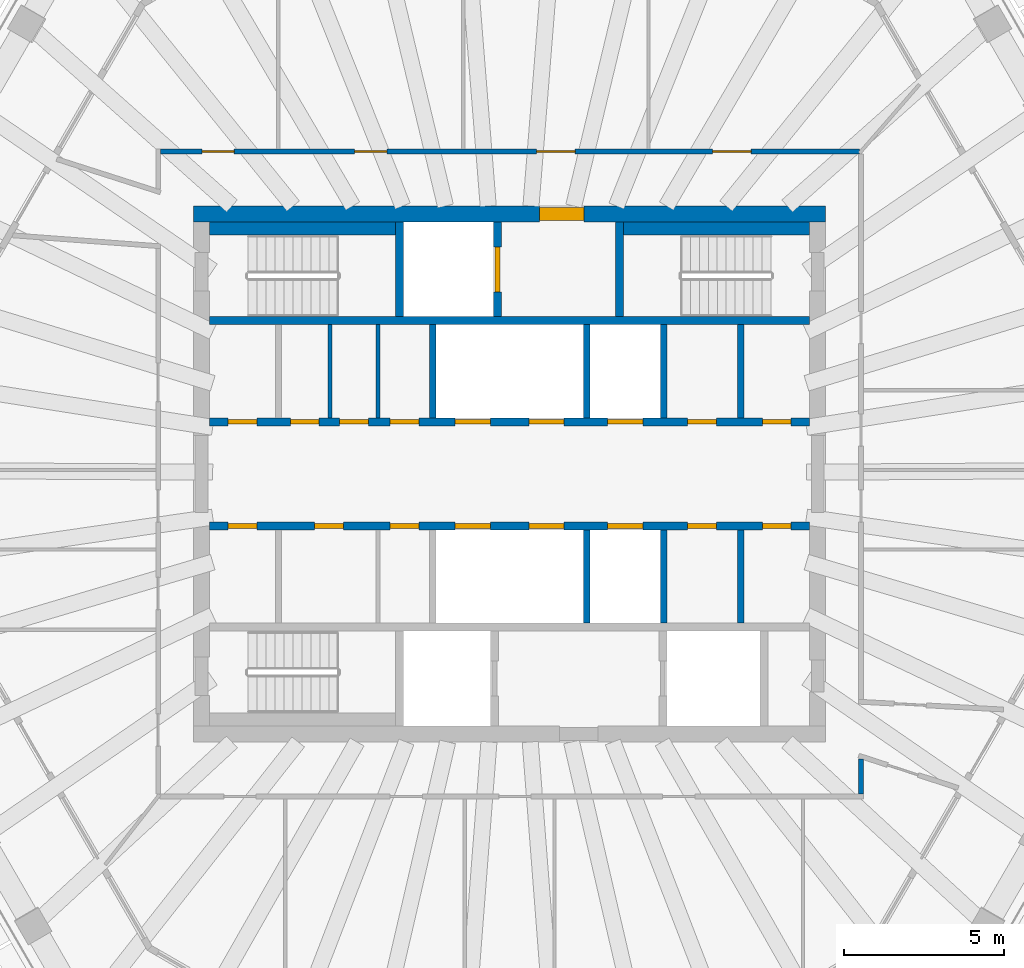
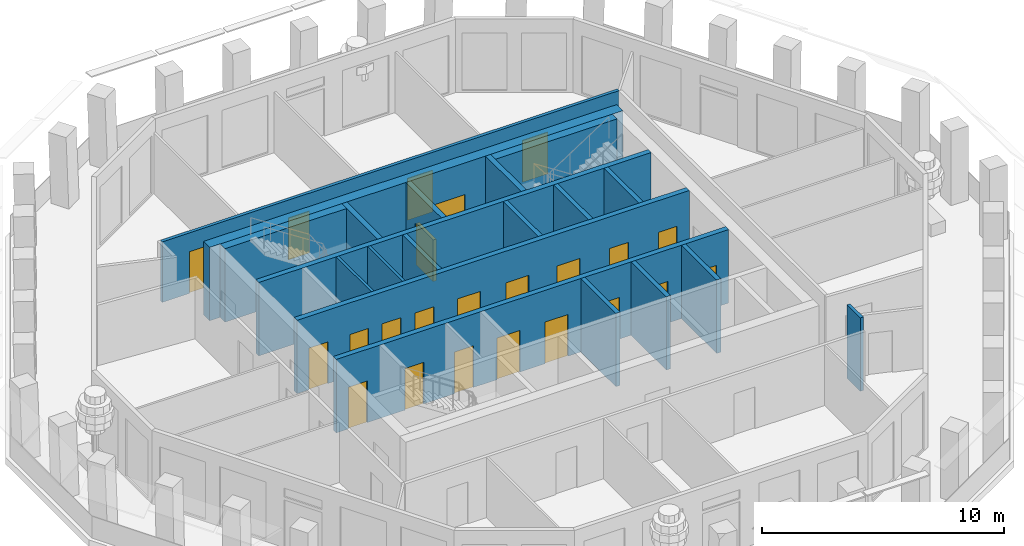
# One storey, part 5 of 11: 23 doors, 20 walls, 23 openings.
"""IFC4 building model written with IfcOpenShell, lengths in metres."""

from ifc_helpers import new_model, si_unit, direction, frame, frame_2d, origin, place, context, subcontext, project, spatial, rectangle, extrude, material, layer, layer_set, type_object, element, fill, save


model = new_model("IFC4")

# Units and contexts
model_context = context("Model", 3, precision=1e-05, world=origin(), true_north=direction((0.0, 1.0)))
body_context = subcontext(model_context, "Body", "Model", "MODEL_VIEW")
ifc_project = project(units=[si_unit("LENGTHUNIT", "METRE"), si_unit("AREAUNIT", "SQUARE_METRE"), si_unit("VOLUMEUNIT", "CUBIC_METRE"), si_unit("PLANEANGLEUNIT", "RADIAN"), si_unit("MASSUNIT", "GRAM", prefix="KILO")], contexts=[model_context])

# Site, building, storey
site_placement = place(None, origin())
site = spatial("IfcSite", under=ifc_project, at=site_placement, CompositionType="ELEMENT")
building_placement = place(site_placement, origin())
building = spatial("IfcBuilding", under=site, at=building_placement, Name="Frailejon Research Tower", CompositionType="ELEMENT")
storey_placement = place(building_placement, frame((0.0, 0.0, 312.60009765625)))
storey = spatial("IfcBuildingStorey", under=building, at=storey_placement, Name="L69", CompositionType="ELEMENT", Elevation=312.60009765625)

# Walls
ifc_material_1 = material(Name="Plasterboard on steel studs", Category="steel")
ifc_layer_1 = layer(ifc_material_1, 0.125)
ifc_layer_set_1 = layer_set([ifc_layer_1], Name="Core partition 125")
wall_type_1 = type_object("IfcWallType", Name="Core partition 125", PredefinedType="PARTITIONING", material=ifc_layer_set_1)
for number, where, z_axis, x_axis, name in (
    (1, (-5.60009765625, 1.75, 0.0), (0.0, 0.0, 1.0), (0.0, 1.0, 0.0), "Core partition"),
    (2, (-4.10009765625, 1.75, 0.0), (0.0, 0.0, 1.0), (0.0, 1.0, 0.0), "Core partition"),
):
    element("IfcWall", number, at=place(storey_placement, frame(where, z_axis=z_axis, x_axis=x_axis)), inside=storey, type_object=wall_type_1, Name=name, PredefinedType="PARTITIONING", context=body_context, shape_type="SweptSolid", body=[
        extrude(rectangle(XDim=2.89990234375, YDim=0.125, at=frame_2d((1.449951171875, 0.0))), origin(), (0.0, 0.0, 1.0), 3.699951171875),
    ])

# Wall, opening, door
ifc_material_2 = material(Name="Concrete C50/60", Category="concrete")
ifc_layer_2 = layer(ifc_material_2, 0.5)
ifc_layer_set_2 = layer_set([ifc_layer_2], Name="Core shear wall 500 C50/60")
wall_type_2 = type_object("IfcWallType", Name="Core shear wall 500 C50/60", PredefinedType="SHEAR", material=ifc_layer_set_2)
wall_1_placement = place(storey_placement, frame((-9.85009765625, 8.10009765625, 0.0), z_axis=(0.0, 0.0, 1.0), x_axis=(1.0, 0.0, 0.0)))
wall_1 = element("IfcWall", 3, at=wall_1_placement, inside=storey, type_object=wall_type_2, Name="Core shear wall", PredefinedType="SHEAR", context=body_context, shape_type="SweptSolid", body=[
    extrude(rectangle(XDim=19.7001953125, YDim=0.5, at=frame_2d((9.85009765625, 0.0))), origin(), (0.0, 0.0, 1.0), 3.699951171875),
])
opening_1_placement = place(wall_1_placement, frame((10.77490234375, 0.0, 0.0)))
opening_1 = element("IfcOpeningElement", 4, at=opening_1_placement, cuts=wall_1, Name="Opening D9", PredefinedType="OPENING", context=body_context, shape_type="SweptSolid", body=[
    extrude(rectangle(XDim=1.39990234375, YDim=2.10009765625, at=frame_2d((0.699951171875, 1.050048828125))), frame((0.0, 0.260009765625, 0.0), z_axis=(0.0, -1.0, 0.0), x_axis=(1.0, 0.0, 0.0)), (0.0, 0.0, 1.0), 0.52001953125),
])
ifc_material_3 = material(Name="Steel", Category="steel")
door_type_1 = type_object("IfcDoorType", Name="Goods lobby door", OperationType="DOUBLE_DOOR_SINGLE_SWING", PredefinedType="DOOR", material=ifc_material_3)
door_1_placement = place(opening_1_placement, origin())
door_1 = element("IfcDoor", 5, at=door_1_placement, inside=storey, type_object=door_type_1, Name="Goods lobby door", OperationType="DOUBLE_DOOR_SINGLE_SWING", OverallHeight=2.10009765625, OverallWidth=1.39990234375, PredefinedType="DOOR", context=body_context, shape_type="SweptSolid", body=[
    extrude(rectangle(XDim=1.39990234375, YDim=2.10009765625, at=frame_2d((0.699951171875, 1.050048828125))), frame((0.0, 0.199951171875, 0.0), z_axis=(0.0, -1.0, 0.0), x_axis=(1.0, 0.0, 0.0)), (0.0, 0.0, 1.0), 0.39990234375),
])
fill(opening_1, door_1)

# Wall
ifc_material_4 = material(Name="Gypsum board and masonry partition", Category="masonry")
ifc_layer_3 = layer(ifc_material_4, 0.14990234375)
ifc_layer_set_3 = layer_set([ifc_layer_3], Name="Corridor wall EI 60, gypsum on steel studs 150")
wall_type_3 = type_object("IfcWallType", Name="Corridor wall EI 60, gypsum on steel studs 150", PredefinedType="PARTITIONING", material=ifc_layer_set_3)
wall_2_placement = place(storey_placement, frame((10.949951171875, -9.97509765625, 0.0), z_axis=(0.0, 0.0, 1.0), x_axis=(0.0, 1.0, 0.0)))
element("IfcWall", 6, at=wall_2_placement, inside=storey, type_object=wall_type_3, Name="T:IW:L69:001", PredefinedType="PARTITIONING", context=body_context, shape_type="SweptSolid", body=[
    extrude(rectangle(XDim=1.10009765625, YDim=0.14990234375, at=frame_2d((0.550048828125, 0.0))), origin(), (0.0, 0.0, 1.0), 3.699951171875),
])

# Wall, openings, doors
wall_3_placement = place(storey_placement, frame((-10.875, 10.050048828125, 0.0), z_axis=(0.0, 0.0, 1.0), x_axis=(1.0, 0.0, 0.0)))
wall_3 = element("IfcWall", 7, at=wall_3_placement, inside=storey, type_object=wall_type_3, Name="T:IW:L69:003", PredefinedType="PARTITIONING", context=body_context, shape_type="SweptSolid", body=[
    extrude(rectangle(XDim=21.77490234375, YDim=0.14990234375, at=frame_2d((10.887451171875, 0.0))), origin(), (0.0, 0.0, 1.0), 3.0498046875),
])
opening_2_placement = place(wall_3_placement, frame((17.2041015625, 0.0, 0.0)))
opening_2 = element("IfcOpeningElement", 8, at=opening_2_placement, cuts=wall_3, Name="Opening D2300", PredefinedType="OPENING", context=body_context, shape_type="SweptSolid", body=[
    extrude(rectangle(XDim=1.199951171875, YDim=2.10009765625, at=frame_2d((0.60009765625, 1.050048828125))), frame((0.0, 0.0849609375, 0.0), z_axis=(0.0, -1.0, 0.0), x_axis=(1.0, 0.0, 0.0)), (0.0, 0.0, 1.0), 0.169921875),
])
opening_3_placement = place(wall_3_placement, frame((11.716796875, 0.0, 0.0)))
opening_3 = element("IfcOpeningElement", 9, at=opening_3_placement, cuts=wall_3, Name="Opening D2301", PredefinedType="OPENING", context=body_context, shape_type="SweptSolid", body=[
    extrude(rectangle(XDim=1.199951171875, YDim=2.10009765625, at=frame_2d((0.60009765625, 1.050048828125))), frame((0.0, 0.0849609375, 0.0), z_axis=(0.0, -1.0, 0.0), x_axis=(1.0, 0.0, 0.0)), (0.0, 0.0, 1.0), 0.169921875),
])
opening_4_placement = place(wall_3_placement, frame((6.0498046875, 0.0, 0.0)))
opening_4 = element("IfcOpeningElement", 10, at=opening_4_placement, cuts=wall_3, Name="Opening D2302", PredefinedType="OPENING", context=body_context, shape_type="SweptSolid", body=[
    extrude(rectangle(XDim=1.0, YDim=2.10009765625, at=frame_2d((0.5, 1.050048828125))), frame((0.0, 0.0849609375, 0.0), z_axis=(0.0, -1.0, 0.0), x_axis=(1.0, 0.0, 0.0)), (0.0, 0.0, 1.0), 0.169921875),
])
opening_5_placement = place(wall_3_placement, frame((1.29541015625, 0.0, 0.0)))
opening_5 = element("IfcOpeningElement", 11, at=opening_5_placement, cuts=wall_3, Name="Opening D2303", PredefinedType="OPENING", context=body_context, shape_type="SweptSolid", body=[
    extrude(rectangle(XDim=1.0, YDim=2.10009765625, at=frame_2d((0.5, 1.050048828125))), frame((0.0, 0.0849609375, 0.0), z_axis=(0.0, -1.0, 0.0), x_axis=(1.0, 0.0, 0.0)), (0.0, 0.0, 1.0), 0.169921875),
])
ifc_material_5 = material(Name="Timber door leaf", Category="wood")
door_type_2 = type_object("IfcDoorType", Name="Door single leaf, timber, steel frame 1000", OperationType="NOTDEFINED", PredefinedType="DOOR", material=ifc_material_5)
door_2_placement = place(opening_4_placement, origin())
door_2 = element("IfcDoor", 12, at=door_2_placement, inside=storey, type_object=door_type_2, Name="D2302", OperationType="SINGLE_SWING_LEFT", OverallHeight=2.10009765625, OverallWidth=1.0, PredefinedType="DOOR", context=body_context, shape_type="SweptSolid", body=[
    extrude(rectangle(XDim=1.0, YDim=2.10009765625, at=frame_2d((0.5, 1.050048828125))), frame((0.0, 0.02490234375, 0.0), z_axis=(0.0, -1.0, 0.0), x_axis=(1.0, 0.0, 0.0)), (0.0, 0.0, 1.0), 0.050048828125),
])
fill(opening_4, door_2)
door_3_placement = place(opening_5_placement, origin())
door_3 = element("IfcDoor", 13, at=door_3_placement, inside=storey, type_object=door_type_2, Name="D2303", OperationType="SINGLE_SWING_LEFT", OverallHeight=2.10009765625, OverallWidth=1.0, PredefinedType="DOOR", context=body_context, shape_type="SweptSolid", body=[
    extrude(rectangle(XDim=1.0, YDim=2.10009765625, at=frame_2d((0.5, 1.050048828125))), frame((0.0, 0.02490234375, 0.0), z_axis=(0.0, -1.0, 0.0), x_axis=(1.0, 0.0, 0.0)), (0.0, 0.0, 1.0), 0.050048828125),
])
fill(opening_5, door_3)
ifc_material_6 = material(Name="Timber door leaf", Category="wood")
door_type_3 = type_object("IfcDoorType", Name="Door single leaf, timber, steel frame 1200", OperationType="NOTDEFINED", PredefinedType="DOOR", material=ifc_material_6)
door_4_placement = place(opening_2_placement, origin())
door_4 = element("IfcDoor", 14, at=door_4_placement, inside=storey, type_object=door_type_3, Name="D2300", OperationType="DOUBLE_DOOR_SINGLE_SWING", OverallHeight=2.10009765625, OverallWidth=1.199951171875, PredefinedType="DOOR", context=body_context, shape_type="SweptSolid", body=[
    extrude(rectangle(XDim=1.199951171875, YDim=2.10009765625, at=frame_2d((0.60009765625, 1.050048828125))), frame((0.0, 0.02490234375, 0.0), z_axis=(0.0, -1.0, 0.0), x_axis=(1.0, 0.0, 0.0)), (0.0, 0.0, 1.0), 0.050048828125),
])
fill(opening_2, door_4)
door_5_placement = place(opening_3_placement, origin())
door_5 = element("IfcDoor", 15, at=door_5_placement, inside=storey, type_object=door_type_3, Name="D2301", OperationType="DOUBLE_DOOR_SINGLE_SWING", OverallHeight=2.10009765625, OverallWidth=1.199951171875, PredefinedType="DOOR", context=body_context, shape_type="SweptSolid", body=[
    extrude(rectangle(XDim=1.199951171875, YDim=2.10009765625, at=frame_2d((0.60009765625, 1.050048828125))), frame((0.0, 0.02490234375, 0.0), z_axis=(0.0, -1.0, 0.0), x_axis=(1.0, 0.0, 0.0)), (0.0, 0.0, 1.0), 0.050048828125),
])
fill(opening_3, door_5)

# Walls
ifc_material_7 = material(Name="Concrete C50/60", Category="concrete")
ifc_layer_4 = layer(ifc_material_7, 0.199951171875)
ifc_layer_set_4 = layer_set([ifc_layer_4], Name="Shaft wall 200 C50/60")
wall_type_4 = type_object("IfcWallType", Name="Shaft wall 200 C50/60", PredefinedType="SOLIDWALL", material=ifc_layer_set_4)
for number, where, z_axis, x_axis, name in (
    (16, (-2.39990234375, 1.75, 0.0), (0.0, 0.0, 1.0), (0.0, 1.0, 0.0), "Shaft wall"),
    (17, (2.39990234375, 1.75, 0.0), (0.0, 0.0, 1.0), (0.0, 1.0, 0.0), "Shaft wall"),
    (18, (4.800048828125, 1.75, 0.0), (0.0, 0.0, 1.0), (0.0, 1.0, 0.0), "Shaft wall"),
    (19, (7.199951171875, 1.75, 0.0), (0.0, 0.0, 1.0), (0.0, 1.0, 0.0), "Shaft wall"),
    (20, (2.39990234375, -4.64990234375, 0.0), (0.0, 0.0, 1.0), (0.0, 1.0, 0.0), "Shaft wall"),
    (21, (4.800048828125, -4.64990234375, 0.0), (0.0, 0.0, 1.0), (0.0, 1.0, 0.0), "Shaft wall"),
    (22, (7.199951171875, -4.64990234375, 0.0), (0.0, 0.0, 1.0), (0.0, 1.0, 0.0), "Shaft wall"),
):
    element("IfcWall", number, at=place(storey_placement, frame(where, z_axis=z_axis, x_axis=x_axis)), inside=storey, type_object=wall_type_4, Name=name, PredefinedType="SOLIDWALL", context=body_context, shape_type="SweptSolid", body=[
        extrude(rectangle(XDim=2.89990234375, YDim=0.199951171875, at=frame_2d((1.449951171875, 0.0))), origin(), (0.0, 0.0, 1.0), 3.699951171875),
    ])

# Wall, openings, doors
ifc_material_8 = material(Name="Concrete C50/60", Category="concrete")
ifc_layer_5 = layer(ifc_material_8, 0.25)
ifc_layer_set_5 = layer_set([ifc_layer_5], Name="Shaft wall 250 C50/60")
wall_type_5 = type_object("IfcWallType", Name="Shaft wall 250 C50/60", PredefinedType="SOLIDWALL", material=ifc_layer_set_5)
wall_4_placement = place(storey_placement, frame((-9.35009765625, 1.625, 0.0), z_axis=(0.0, 0.0, 1.0), x_axis=(1.0, 0.0, 0.0)))
wall_4 = element("IfcWall", 23, at=wall_4_placement, inside=storey, type_object=wall_type_5, Name="Shaft wall", PredefinedType="SOLIDWALL", context=body_context, shape_type="SweptSolid", body=[
    extrude(rectangle(XDim=18.7001953125, YDim=0.25, at=frame_2d((9.35009765625, 0.0))), origin(), (0.0, 0.0, 1.0), 3.699951171875),
])
opening_6_placement = place(wall_4_placement, frame((7.64990234375, 0.0, 0.0)))
opening_6 = element("IfcOpeningElement", 24, at=opening_6_placement, cuts=wall_4, Name="Opening LD", PredefinedType="OPENING", context=body_context, shape_type="SweptSolid", body=[
    extrude(rectangle(XDim=1.10009765625, YDim=2.10009765625, at=frame_2d((0.550048828125, 1.050048828125))), frame((0.0, 0.135009765625, 0.0), z_axis=(0.0, -1.0, 0.0), x_axis=(1.0, 0.0, 0.0)), (0.0, 0.0, 1.0), 0.27001953125),
])
opening_7_placement = place(wall_4_placement, frame((9.949951171875, 0.0, 0.0)))
opening_7 = element("IfcOpeningElement", 25, at=opening_7_placement, cuts=wall_4, Name="Opening LD", PredefinedType="OPENING", context=body_context, shape_type="SweptSolid", body=[
    extrude(rectangle(XDim=1.10009765625, YDim=2.10009765625, at=frame_2d((0.550048828125, 1.050048828125))), frame((0.0, 0.135009765625, 0.0), z_axis=(0.0, -1.0, 0.0), x_axis=(1.0, 0.0, 0.0)), (0.0, 0.0, 1.0), 0.27001953125),
])
opening_8_placement = place(wall_4_placement, frame((12.39990234375, 0.0, 0.0)))
opening_8 = element("IfcOpeningElement", 26, at=opening_8_placement, cuts=wall_4, Name="Opening LD", PredefinedType="OPENING", context=body_context, shape_type="SweptSolid", body=[
    extrude(rectangle(XDim=1.10009765625, YDim=2.10009765625, at=frame_2d((0.550048828125, 1.050048828125))), frame((0.0, 0.135009765625, 0.0), z_axis=(0.0, -1.0, 0.0), x_axis=(1.0, 0.0, 0.0)), (0.0, 0.0, 1.0), 0.27001953125),
])
opening_9_placement = place(wall_4_placement, frame((0.574951171875, 0.0, 0.0)))
opening_9 = element("IfcOpeningElement", 27, at=opening_9_placement, cuts=wall_4, Name="Opening D8", PredefinedType="OPENING", context=body_context, shape_type="SweptSolid", body=[
    extrude(rectangle(XDim=0.89990234375, YDim=2.10009765625, at=frame_2d((0.449951171875, 1.050048828125))), frame((0.0, 0.135009765625, 0.0), z_axis=(0.0, -1.0, 0.0), x_axis=(1.0, 0.0, 0.0)), (0.0, 0.0, 1.0), 0.27001953125),
])
opening_10_placement = place(wall_4_placement, frame((2.518798828125, 0.0, 0.0)))
opening_10 = element("IfcOpeningElement", 28, at=opening_10_placement, cuts=wall_4, Name="Opening D8", PredefinedType="OPENING", context=body_context, shape_type="SweptSolid", body=[
    extrude(rectangle(XDim=0.89990234375, YDim=2.10009765625, at=frame_2d((0.449951171875, 1.050048828125))), frame((0.0, 0.135009765625, 0.0), z_axis=(0.0, -1.0, 0.0), x_axis=(1.0, 0.0, 0.0)), (0.0, 0.0, 1.0), 0.27001953125),
])
opening_11_placement = place(wall_4_placement, frame((4.050048828125, 0.0, 0.0)))
opening_11 = element("IfcOpeningElement", 29, at=opening_11_placement, cuts=wall_4, Name="Opening D8", PredefinedType="OPENING", context=body_context, shape_type="SweptSolid", body=[
    extrude(rectangle(XDim=0.89990234375, YDim=2.10009765625, at=frame_2d((0.449951171875, 1.050048828125))), frame((0.0, 0.135009765625, 0.0), z_axis=(0.0, -1.0, 0.0), x_axis=(1.0, 0.0, 0.0)), (0.0, 0.0, 1.0), 0.27001953125),
])
opening_12_placement = place(wall_4_placement, frame((5.631103515625, 0.0, 0.0)))
opening_12 = element("IfcOpeningElement", 30, at=opening_12_placement, cuts=wall_4, Name="Opening D8", PredefinedType="OPENING", context=body_context, shape_type="SweptSolid", body=[
    extrude(rectangle(XDim=0.89990234375, YDim=2.10009765625, at=frame_2d((0.449951171875, 1.050048828125))), frame((0.0, 0.135009765625, 0.0), z_axis=(0.0, -1.0, 0.0), x_axis=(1.0, 0.0, 0.0)), (0.0, 0.0, 1.0), 0.27001953125),
])
opening_13_placement = place(wall_4_placement, frame((14.89990234375, 0.0, 0.0)))
opening_13 = element("IfcOpeningElement", 31, at=opening_13_placement, cuts=wall_4, Name="Opening D8", PredefinedType="OPENING", context=body_context, shape_type="SweptSolid", body=[
    extrude(rectangle(XDim=0.89990234375, YDim=2.10009765625, at=frame_2d((0.449951171875, 1.050048828125))), frame((0.0, 0.135009765625, 0.0), z_axis=(0.0, -1.0, 0.0), x_axis=(1.0, 0.0, 0.0)), (0.0, 0.0, 1.0), 0.27001953125),
])
opening_14_placement = place(wall_4_placement, frame((17.22509765625, 0.0, 0.0)))
opening_14 = element("IfcOpeningElement", 32, at=opening_14_placement, cuts=wall_4, Name="Opening D8", PredefinedType="OPENING", context=body_context, shape_type="SweptSolid", body=[
    extrude(rectangle(XDim=0.89990234375, YDim=2.10009765625, at=frame_2d((0.449951171875, 1.050048828125))), frame((0.0, 0.135009765625, 0.0), z_axis=(0.0, -1.0, 0.0), x_axis=(1.0, 0.0, 0.0)), (0.0, 0.0, 1.0), 0.27001953125),
])
ifc_material_9 = material(Name="Steel", Category="steel")
door_type_4 = type_object("IfcDoorType", Name="Core room door", OperationType="SINGLE_SWING_LEFT", PredefinedType="DOOR", material=ifc_material_9)
door_6_placement = place(opening_9_placement, origin())
door_6 = element("IfcDoor", 33, at=door_6_placement, inside=storey, type_object=door_type_4, Name="Room door", OperationType="SINGLE_SWING_RIGHT", OverallHeight=2.10009765625, OverallWidth=0.89990234375, PredefinedType="DOOR", context=body_context, shape_type="SweptSolid", body=[
    extrude(rectangle(XDim=0.89990234375, YDim=2.10009765625, at=frame_2d((0.449951171875, 1.050048828125))), frame((0.0, 0.074951171875, 0.0), z_axis=(0.0, -1.0, 0.0), x_axis=(1.0, 0.0, 0.0)), (0.0, 0.0, 1.0), 0.14990234375),
])
fill(opening_9, door_6)
door_7_placement = place(opening_10_placement, origin())
door_7 = element("IfcDoor", 34, at=door_7_placement, inside=storey, type_object=door_type_4, Name="Room door", OperationType="SINGLE_SWING_LEFT", OverallHeight=2.10009765625, OverallWidth=0.89990234375, PredefinedType="DOOR", context=body_context, shape_type="SweptSolid", body=[
    extrude(rectangle(XDim=0.89990234375, YDim=2.10009765625, at=frame_2d((0.449951171875, 1.050048828125))), frame((0.0, 0.074951171875, 0.0), z_axis=(0.0, -1.0, 0.0), x_axis=(1.0, 0.0, 0.0)), (0.0, 0.0, 1.0), 0.14990234375),
])
fill(opening_10, door_7)
door_8_placement = place(opening_11_placement, origin())
door_8 = element("IfcDoor", 35, at=door_8_placement, inside=storey, type_object=door_type_4, Name="Room door", OperationType="SINGLE_SWING_RIGHT", OverallHeight=2.10009765625, OverallWidth=0.89990234375, PredefinedType="DOOR", context=body_context, shape_type="SweptSolid", body=[
    extrude(rectangle(XDim=0.89990234375, YDim=2.10009765625, at=frame_2d((0.449951171875, 1.050048828125))), frame((0.0, 0.074951171875, 0.0), z_axis=(0.0, -1.0, 0.0), x_axis=(1.0, 0.0, 0.0)), (0.0, 0.0, 1.0), 0.14990234375),
])
fill(opening_11, door_8)
door_9_placement = place(opening_12_placement, origin())
door_9 = element("IfcDoor", 36, at=door_9_placement, inside=storey, type_object=door_type_4, Name="Room door", OperationType="SINGLE_SWING_LEFT", OverallHeight=2.10009765625, OverallWidth=0.89990234375, PredefinedType="DOOR", context=body_context, shape_type="SweptSolid", body=[
    extrude(rectangle(XDim=0.89990234375, YDim=2.10009765625, at=frame_2d((0.449951171875, 1.050048828125))), frame((0.0, 0.074951171875, 0.0), z_axis=(0.0, -1.0, 0.0), x_axis=(1.0, 0.0, 0.0)), (0.0, 0.0, 1.0), 0.14990234375),
])
fill(opening_12, door_9)
door_10_placement = place(opening_13_placement, origin())
door_10 = element("IfcDoor", 37, at=door_10_placement, inside=storey, type_object=door_type_4, Name="Room door", OperationType="SINGLE_SWING_RIGHT", OverallHeight=2.10009765625, OverallWidth=0.89990234375, PredefinedType="DOOR", context=body_context, shape_type="SweptSolid", body=[
    extrude(rectangle(XDim=0.89990234375, YDim=2.10009765625, at=frame_2d((0.449951171875, 1.050048828125))), frame((0.0, 0.074951171875, 0.0), z_axis=(0.0, -1.0, 0.0), x_axis=(1.0, 0.0, 0.0)), (0.0, 0.0, 1.0), 0.14990234375),
])
fill(opening_13, door_10)
door_11_placement = place(opening_14_placement, origin())
door_11 = element("IfcDoor", 38, at=door_11_placement, inside=storey, type_object=door_type_4, Name="Room door", OperationType="SINGLE_SWING_LEFT", OverallHeight=2.10009765625, OverallWidth=0.89990234375, PredefinedType="DOOR", context=body_context, shape_type="SweptSolid", body=[
    extrude(rectangle(XDim=0.89990234375, YDim=2.10009765625, at=frame_2d((0.449951171875, 1.050048828125))), frame((0.0, 0.074951171875, 0.0), z_axis=(0.0, -1.0, 0.0), x_axis=(1.0, 0.0, 0.0)), (0.0, 0.0, 1.0), 0.14990234375),
])
fill(opening_14, door_11)
ifc_material_10 = material(Name="Steel", Category="steel")
door_type_5 = type_object("IfcDoorType", Name="Lift landing door", OperationType="DOUBLE_DOOR_SLIDING", PredefinedType="DOOR", material=ifc_material_10)
door_12_placement = place(opening_6_placement, origin())
door_12 = element("IfcDoor", 39, at=door_12_placement, inside=storey, type_object=door_type_5, Name="Lift landing door", OperationType="DOUBLE_DOOR_SLIDING", OverallHeight=2.10009765625, OverallWidth=1.10009765625, PredefinedType="DOOR", context=body_context, shape_type="SweptSolid", body=[
    extrude(rectangle(XDim=1.10009765625, YDim=2.10009765625, at=frame_2d((0.550048828125, 1.050048828125))), frame((0.0, 0.074951171875, 0.0), z_axis=(0.0, -1.0, 0.0), x_axis=(1.0, 0.0, 0.0)), (0.0, 0.0, 1.0), 0.14990234375),
])
fill(opening_6, door_12)
door_13_placement = place(opening_7_placement, origin())
door_13 = element("IfcDoor", 40, at=door_13_placement, inside=storey, type_object=door_type_5, Name="Lift landing door", OperationType="DOUBLE_DOOR_SLIDING", OverallHeight=2.10009765625, OverallWidth=1.10009765625, PredefinedType="DOOR", context=body_context, shape_type="SweptSolid", body=[
    extrude(rectangle(XDim=1.10009765625, YDim=2.10009765625, at=frame_2d((0.550048828125, 1.050048828125))), frame((0.0, 0.074951171875, 0.0), z_axis=(0.0, -1.0, 0.0), x_axis=(1.0, 0.0, 0.0)), (0.0, 0.0, 1.0), 0.14990234375),
])
fill(opening_7, door_13)
door_14_placement = place(opening_8_placement, origin())
door_14 = element("IfcDoor", 41, at=door_14_placement, inside=storey, type_object=door_type_5, Name="Lift landing door", OperationType="DOUBLE_DOOR_SLIDING", OverallHeight=2.10009765625, OverallWidth=1.10009765625, PredefinedType="DOOR", context=body_context, shape_type="SweptSolid", body=[
    extrude(rectangle(XDim=1.10009765625, YDim=2.10009765625, at=frame_2d((0.550048828125, 1.050048828125))), frame((0.0, 0.074951171875, 0.0), z_axis=(0.0, -1.0, 0.0), x_axis=(1.0, 0.0, 0.0)), (0.0, 0.0, 1.0), 0.14990234375),
])
fill(opening_8, door_14)

# Wall
wall_5_placement = place(storey_placement, frame((-9.35009765625, 4.77490234375, 0.0), z_axis=(0.0, 0.0, 1.0), x_axis=(1.0, 0.0, 0.0)))
element("IfcWall", 42, at=wall_5_placement, inside=storey, type_object=wall_type_5, Name="Shaft wall", PredefinedType="SOLIDWALL", context=body_context, shape_type="SweptSolid", body=[
    extrude(rectangle(XDim=18.7001953125, YDim=0.25, at=frame_2d((9.35009765625, 0.0))), origin(), (0.0, 0.0, 1.0), 3.699951171875),
])

# Wall, openings, doors
wall_6_placement = place(storey_placement, frame((-9.35009765625, -1.625, 0.0), z_axis=(0.0, 0.0, 1.0), x_axis=(1.0, 0.0, 0.0)))
wall_6 = element("IfcWall", 43, at=wall_6_placement, inside=storey, type_object=wall_type_5, Name="Shaft wall", PredefinedType="SOLIDWALL", context=body_context, shape_type="SweptSolid", body=[
    extrude(rectangle(XDim=18.7001953125, YDim=0.25, at=frame_2d((9.35009765625, 0.0))), origin(), (0.0, 0.0, 1.0), 3.699951171875),
])
opening_15_placement = place(wall_6_placement, frame((7.64990234375, 0.0, 0.0)))
opening_15 = element("IfcOpeningElement", 44, at=opening_15_placement, cuts=wall_6, Name="Opening LD", PredefinedType="OPENING", context=body_context, shape_type="SweptSolid", body=[
    extrude(rectangle(XDim=1.10009765625, YDim=2.10009765625, at=frame_2d((0.550048828125, 1.050048828125))), frame((0.0, 0.135009765625, 0.0), z_axis=(0.0, -1.0, 0.0), x_axis=(1.0, 0.0, 0.0)), (0.0, 0.0, 1.0), 0.27001953125),
])
opening_16_placement = place(wall_6_placement, frame((9.949951171875, 0.0, 0.0)))
opening_16 = element("IfcOpeningElement", 45, at=opening_16_placement, cuts=wall_6, Name="Opening LD", PredefinedType="OPENING", context=body_context, shape_type="SweptSolid", body=[
    extrude(rectangle(XDim=1.10009765625, YDim=2.10009765625, at=frame_2d((0.550048828125, 1.050048828125))), frame((0.0, 0.135009765625, 0.0), z_axis=(0.0, -1.0, 0.0), x_axis=(1.0, 0.0, 0.0)), (0.0, 0.0, 1.0), 0.27001953125),
])
opening_17_placement = place(wall_6_placement, frame((12.39990234375, 0.0, 0.0)))
opening_17 = element("IfcOpeningElement", 46, at=opening_17_placement, cuts=wall_6, Name="Opening LD", PredefinedType="OPENING", context=body_context, shape_type="SweptSolid", body=[
    extrude(rectangle(XDim=1.10009765625, YDim=2.10009765625, at=frame_2d((0.550048828125, 1.050048828125))), frame((0.0, 0.135009765625, 0.0), z_axis=(0.0, -1.0, 0.0), x_axis=(1.0, 0.0, 0.0)), (0.0, 0.0, 1.0), 0.27001953125),
])
opening_18_placement = place(wall_6_placement, frame((0.574951171875, 0.0, 0.0)))
opening_18 = element("IfcOpeningElement", 47, at=opening_18_placement, cuts=wall_6, Name="Opening D8", PredefinedType="OPENING", context=body_context, shape_type="SweptSolid", body=[
    extrude(rectangle(XDim=0.89990234375, YDim=2.10009765625, at=frame_2d((0.449951171875, 1.050048828125))), frame((0.0, 0.135009765625, 0.0), z_axis=(0.0, -1.0, 0.0), x_axis=(1.0, 0.0, 0.0)), (0.0, 0.0, 1.0), 0.27001953125),
])
opening_19_placement = place(wall_6_placement, frame((3.268798828125, 0.0, 0.0)))
opening_19 = element("IfcOpeningElement", 48, at=opening_19_placement, cuts=wall_6, Name="Opening D8", PredefinedType="OPENING", context=body_context, shape_type="SweptSolid", body=[
    extrude(rectangle(XDim=0.89990234375, YDim=2.10009765625, at=frame_2d((0.449951171875, 1.050048828125))), frame((0.0, 0.135009765625, 0.0), z_axis=(0.0, -1.0, 0.0), x_axis=(1.0, 0.0, 0.0)), (0.0, 0.0, 1.0), 0.27001953125),
])
opening_20_placement = place(wall_6_placement, frame((5.631103515625, 0.0, 0.0)))
opening_20 = element("IfcOpeningElement", 49, at=opening_20_placement, cuts=wall_6, Name="Opening D8", PredefinedType="OPENING", context=body_context, shape_type="SweptSolid", body=[
    extrude(rectangle(XDim=0.89990234375, YDim=2.10009765625, at=frame_2d((0.449951171875, 1.050048828125))), frame((0.0, 0.135009765625, 0.0), z_axis=(0.0, -1.0, 0.0), x_axis=(1.0, 0.0, 0.0)), (0.0, 0.0, 1.0), 0.27001953125),
])
opening_21_placement = place(wall_6_placement, frame((14.89990234375, 0.0, 0.0)))
opening_21 = element("IfcOpeningElement", 50, at=opening_21_placement, cuts=wall_6, Name="Opening D8", PredefinedType="OPENING", context=body_context, shape_type="SweptSolid", body=[
    extrude(rectangle(XDim=0.89990234375, YDim=2.10009765625, at=frame_2d((0.449951171875, 1.050048828125))), frame((0.0, 0.135009765625, 0.0), z_axis=(0.0, -1.0, 0.0), x_axis=(1.0, 0.0, 0.0)), (0.0, 0.0, 1.0), 0.27001953125),
])
opening_22_placement = place(wall_6_placement, frame((17.22509765625, 0.0, 0.0)))
opening_22 = element("IfcOpeningElement", 51, at=opening_22_placement, cuts=wall_6, Name="Opening D8", PredefinedType="OPENING", context=body_context, shape_type="SweptSolid", body=[
    extrude(rectangle(XDim=0.89990234375, YDim=2.10009765625, at=frame_2d((0.449951171875, 1.050048828125))), frame((0.0, 0.135009765625, 0.0), z_axis=(0.0, -1.0, 0.0), x_axis=(1.0, 0.0, 0.0)), (0.0, 0.0, 1.0), 0.27001953125),
])
door_15_placement = place(opening_18_placement, origin())
door_15 = element("IfcDoor", 52, at=door_15_placement, inside=storey, type_object=door_type_4, Name="Room door", OperationType="SINGLE_SWING_RIGHT", OverallHeight=2.10009765625, OverallWidth=0.89990234375, PredefinedType="DOOR", context=body_context, shape_type="SweptSolid", body=[
    extrude(rectangle(XDim=0.89990234375, YDim=2.10009765625, at=frame_2d((0.449951171875, 1.050048828125))), frame((0.0, 0.074951171875, 0.0), z_axis=(0.0, -1.0, 0.0), x_axis=(1.0, 0.0, 0.0)), (0.0, 0.0, 1.0), 0.14990234375),
])
fill(opening_18, door_15)
door_16_placement = place(opening_19_placement, origin())
door_16 = element("IfcDoor", 53, at=door_16_placement, inside=storey, type_object=door_type_4, Name="Room door", OperationType="SINGLE_SWING_LEFT", OverallHeight=2.10009765625, OverallWidth=0.89990234375, PredefinedType="DOOR", context=body_context, shape_type="SweptSolid", body=[
    extrude(rectangle(XDim=0.89990234375, YDim=2.10009765625, at=frame_2d((0.449951171875, 1.050048828125))), frame((0.0, 0.074951171875, 0.0), z_axis=(0.0, -1.0, 0.0), x_axis=(1.0, 0.0, 0.0)), (0.0, 0.0, 1.0), 0.14990234375),
])
fill(opening_19, door_16)
door_17_placement = place(opening_20_placement, origin())
door_17 = element("IfcDoor", 54, at=door_17_placement, inside=storey, type_object=door_type_4, Name="Room door", OperationType="SINGLE_SWING_RIGHT", OverallHeight=2.10009765625, OverallWidth=0.89990234375, PredefinedType="DOOR", context=body_context, shape_type="SweptSolid", body=[
    extrude(rectangle(XDim=0.89990234375, YDim=2.10009765625, at=frame_2d((0.449951171875, 1.050048828125))), frame((0.0, 0.074951171875, 0.0), z_axis=(0.0, -1.0, 0.0), x_axis=(1.0, 0.0, 0.0)), (0.0, 0.0, 1.0), 0.14990234375),
])
fill(opening_20, door_17)
door_18_placement = place(opening_21_placement, origin())
door_18 = element("IfcDoor", 55, at=door_18_placement, inside=storey, type_object=door_type_4, Name="Room door", OperationType="SINGLE_SWING_LEFT", OverallHeight=2.10009765625, OverallWidth=0.89990234375, PredefinedType="DOOR", context=body_context, shape_type="SweptSolid", body=[
    extrude(rectangle(XDim=0.89990234375, YDim=2.10009765625, at=frame_2d((0.449951171875, 1.050048828125))), frame((0.0, 0.074951171875, 0.0), z_axis=(0.0, -1.0, 0.0), x_axis=(1.0, 0.0, 0.0)), (0.0, 0.0, 1.0), 0.14990234375),
])
fill(opening_21, door_18)
door_19_placement = place(opening_22_placement, origin())
door_19 = element("IfcDoor", 56, at=door_19_placement, inside=storey, type_object=door_type_4, Name="Room door", OperationType="SINGLE_SWING_RIGHT", OverallHeight=2.10009765625, OverallWidth=0.89990234375, PredefinedType="DOOR", context=body_context, shape_type="SweptSolid", body=[
    extrude(rectangle(XDim=0.89990234375, YDim=2.10009765625, at=frame_2d((0.449951171875, 1.050048828125))), frame((0.0, 0.074951171875, 0.0), z_axis=(0.0, -1.0, 0.0), x_axis=(1.0, 0.0, 0.0)), (0.0, 0.0, 1.0), 0.14990234375),
])
fill(opening_22, door_19)
door_20_placement = place(opening_15_placement, origin())
door_20 = element("IfcDoor", 57, at=door_20_placement, inside=storey, type_object=door_type_5, Name="Lift landing door", OperationType="DOUBLE_DOOR_SLIDING", OverallHeight=2.10009765625, OverallWidth=1.10009765625, PredefinedType="DOOR", context=body_context, shape_type="SweptSolid", body=[
    extrude(rectangle(XDim=1.10009765625, YDim=2.10009765625, at=frame_2d((0.550048828125, 1.050048828125))), frame((0.0, 0.074951171875, 0.0), z_axis=(0.0, -1.0, 0.0), x_axis=(1.0, 0.0, 0.0)), (0.0, 0.0, 1.0), 0.14990234375),
])
fill(opening_15, door_20)
door_21_placement = place(opening_16_placement, origin())
door_21 = element("IfcDoor", 58, at=door_21_placement, inside=storey, type_object=door_type_5, Name="Lift landing door", OperationType="DOUBLE_DOOR_SLIDING", OverallHeight=2.10009765625, OverallWidth=1.10009765625, PredefinedType="DOOR", context=body_context, shape_type="SweptSolid", body=[
    extrude(rectangle(XDim=1.10009765625, YDim=2.10009765625, at=frame_2d((0.550048828125, 1.050048828125))), frame((0.0, 0.074951171875, 0.0), z_axis=(0.0, -1.0, 0.0), x_axis=(1.0, 0.0, 0.0)), (0.0, 0.0, 1.0), 0.14990234375),
])
fill(opening_16, door_21)
door_22_placement = place(opening_17_placement, origin())
door_22 = element("IfcDoor", 59, at=door_22_placement, inside=storey, type_object=door_type_5, Name="Lift landing door", OperationType="DOUBLE_DOOR_SLIDING", OverallHeight=2.10009765625, OverallWidth=1.10009765625, PredefinedType="DOOR", context=body_context, shape_type="SweptSolid", body=[
    extrude(rectangle(XDim=1.10009765625, YDim=2.10009765625, at=frame_2d((0.550048828125, 1.050048828125))), frame((0.0, 0.074951171875, 0.0), z_axis=(0.0, -1.0, 0.0), x_axis=(1.0, 0.0, 0.0)), (0.0, 0.0, 1.0), 0.14990234375),
])
fill(opening_17, door_22)

# Wall
wall_7_placement = place(storey_placement, frame((-3.425048828125, 4.89990234375, 0.0), z_axis=(0.0, 0.0, 1.0), x_axis=(0.0, 1.0, 0.0)))
element("IfcWall", 60, at=wall_7_placement, inside=storey, type_object=wall_type_5, Name="Shaft wall", PredefinedType="SOLIDWALL", context=body_context, shape_type="SweptSolid", body=[
    extrude(rectangle(XDim=2.9501953125, YDim=0.25, at=frame_2d((1.47509765625, 0.0))), origin(), (0.0, 0.0, 1.0), 3.699951171875),
])

# Wall, opening, door
wall_8_placement = place(storey_placement, frame((-0.375, 4.89990234375, 0.0), z_axis=(0.0, 0.0, 1.0), x_axis=(0.0, 1.0, 0.0)))
wall_8 = element("IfcWall", 61, at=wall_8_placement, inside=storey, type_object=wall_type_5, Name="Shaft wall", PredefinedType="SOLIDWALL", context=body_context, shape_type="SweptSolid", body=[
    extrude(rectangle(XDim=2.9501953125, YDim=0.25, at=frame_2d((1.47509765625, 0.0))), origin(), (0.0, 0.0, 1.0), 3.699951171875),
])
opening_23_placement = place(wall_8_placement, frame((0.77490234375, 0.0, 0.0)))
opening_23 = element("IfcOpeningElement", 62, at=opening_23_placement, cuts=wall_8, Name="Opening LD2", PredefinedType="OPENING", context=body_context, shape_type="SweptSolid", body=[
    extrude(rectangle(XDim=1.39990234375, YDim=2.10009765625, at=frame_2d((0.699951171875, 1.050048828125))), frame((0.0, 0.135009765625, 0.0), z_axis=(0.0, -1.0, 0.0), x_axis=(1.0, 0.0, 0.0)), (0.0, 0.0, 1.0), 0.27001953125),
])
ifc_material_11 = material(Name="Stainless steel", Category="steel")
door_type_6 = type_object("IfcDoorType", Name="Goods landing door", OperationType="DOUBLE_DOOR_SLIDING", PredefinedType="DOOR", material=ifc_material_11)
door_23_placement = place(opening_23_placement, origin())
door_23 = element("IfcDoor", 63, at=door_23_placement, inside=storey, type_object=door_type_6, Name="Lift landing door", OperationType="DOUBLE_DOOR_SLIDING", OverallHeight=2.10009765625, OverallWidth=1.39990234375, PredefinedType="DOOR", context=body_context, shape_type="SweptSolid", body=[
    extrude(rectangle(XDim=1.39990234375, YDim=2.10009765625, at=frame_2d((0.699951171875, 1.050048828125))), frame((0.0, 0.074951171875, 0.0), z_axis=(0.0, -1.0, 0.0), x_axis=(1.0, 0.0, 0.0)), (0.0, 0.0, 1.0), 0.14990234375),
])
fill(opening_23, door_23)

# Walls
wall_9_placement = place(storey_placement, frame((3.425048828125, 4.89990234375, 0.0), z_axis=(0.0, 0.0, 1.0), x_axis=(0.0, 1.0, 0.0)))
element("IfcWall", 64, at=wall_9_placement, inside=storey, type_object=wall_type_5, Name="Shaft wall", PredefinedType="SOLIDWALL", context=body_context, shape_type="SweptSolid", body=[
    extrude(rectangle(XDim=2.9501953125, YDim=0.25, at=frame_2d((1.47509765625, 0.0))), origin(), (0.0, 0.0, 1.0), 3.699951171875),
])
ifc_material_12 = material(Name="Concrete C50/60", Category="concrete")
ifc_layer_6 = layer(ifc_material_12, 0.39990234375)
ifc_layer_set_6 = layer_set([ifc_layer_6], Name="Shaft wall 400 C50/60")
wall_type_6 = type_object("IfcWallType", Name="Shaft wall 400 C50/60", PredefinedType="SOLIDWALL", material=ifc_layer_set_6)
for number, where, z_axis, x_axis, name in (
    (65, (-9.35009765625, 7.64990234375, 0.0), (0.0, 0.0, 1.0), (1.0, 0.0, 0.0), "Shaft wall"),
    (66, (3.550048828125, 7.64990234375, 0.0), (0.0, 0.0, 1.0), (1.0, 0.0, 0.0), "Shaft wall"),
):
    element("IfcWall", number, at=place(storey_placement, frame(where, z_axis=z_axis, x_axis=x_axis)), inside=storey, type_object=wall_type_6, Name=name, PredefinedType="SOLIDWALL", context=body_context, shape_type="SweptSolid", body=[
        extrude(rectangle(XDim=5.800048828125, YDim=0.39990234375, at=frame_2d((2.89990234375, 0.0))), origin(), (0.0, 0.0, 1.0), 3.699951171875),
    ])

save(model, "model.ifc")
